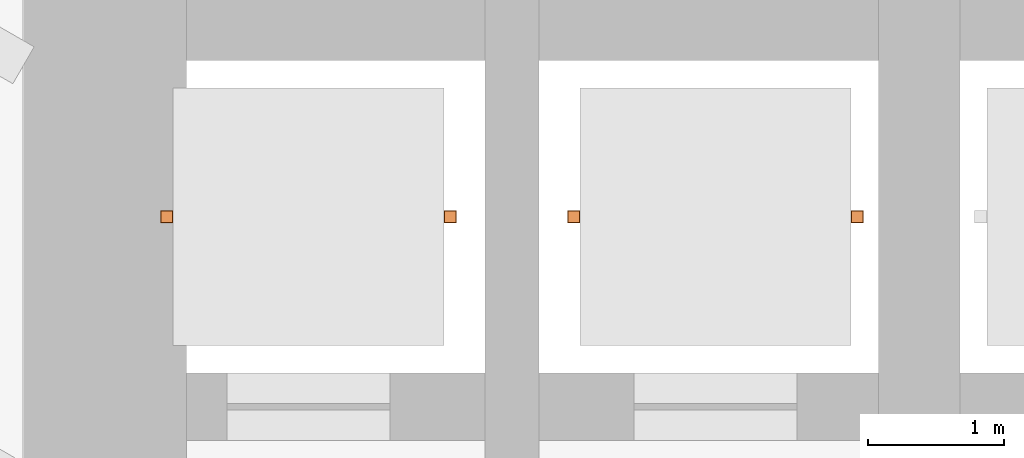
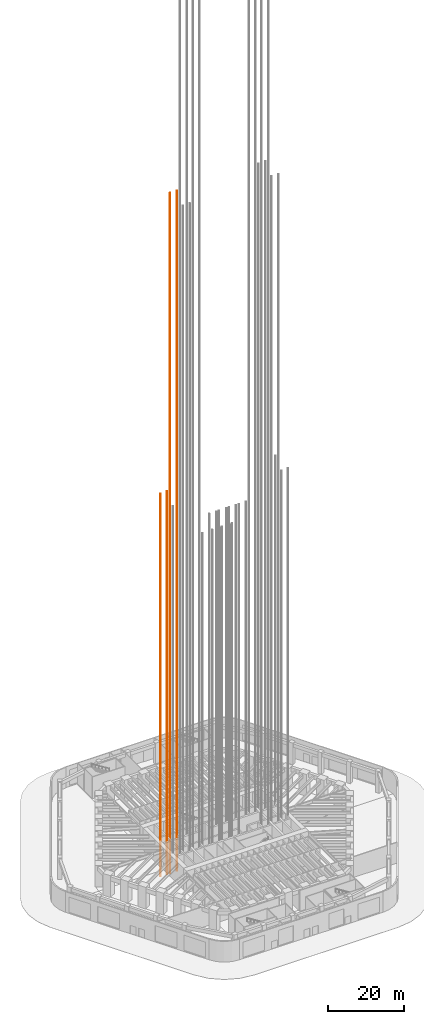
# One storey, part 19 of 23: 2 proxies.
"""IFC4 building model written with IfcOpenShell, lengths in metres."""

from ifc_helpers import new_model, si_unit, direction, frame, frame_2d, origin, origin_2d, place, context, subcontext, project, spatial, rectangle, extrude, material, element, save


model = new_model("IFC4")

# Units and contexts
model_context = context("Model", 3, precision=1e-05, world=origin(), true_north=direction((0.0, 1.0)))
body_context = subcontext(model_context, "Body", "Model", "MODEL_VIEW")
ifc_project = project(units=[si_unit("LENGTHUNIT", "METRE"), si_unit("AREAUNIT", "SQUARE_METRE"), si_unit("VOLUMEUNIT", "CUBIC_METRE"), si_unit("PLANEANGLEUNIT", "RADIAN"), si_unit("MASSUNIT", "GRAM", prefix="KILO")], contexts=[model_context])

# Site, building, storey
site_placement = place(None, origin())
site = spatial("IfcSite", under=ifc_project, at=site_placement, CompositionType="ELEMENT")
building_placement = place(site_placement, origin())
building = spatial("IfcBuilding", under=site, at=building_placement, Name="Tarfa Lantern Tower", CompositionType="ELEMENT")
storey_placement = place(building_placement, origin())
storey = spatial("IfcBuildingStorey", under=building, at=storey_placement, Name="L00", CompositionType="ELEMENT", Elevation=0.0)

# Proxies
ifc_material = material(Name="Steel S355", Category="steel")
proxy_1_placement = place(storey_placement, frame((-17.544921875, 3.39990234375, -4.5), z_axis=(0.0, 0.0, 1.0), x_axis=(1.0, 0.0, 0.0)))
element("IfcBuildingElementProxy", 1, at=proxy_1_placement, inside=storey, material=ifc_material, Name="Guide rails S1", PredefinedType="NOTDEFINED", context=body_context, shape_type="SweptSolid", body=[
    extrude(rectangle(XDim=0.090087890625, YDim=0.090087890625, at=origin_2d()), origin(), (0.0, 0.0, 1.0), 123.449951171875),
    extrude(rectangle(XDim=0.090087890625, YDim=0.090087890625, at=frame_2d((2.08984375, 0.0))), origin(), (0.0, 0.0, 1.0), 123.449951171875),
])
proxy_2_placement = place(storey_placement, frame((-14.544921875, 3.39990234375, -4.5), z_axis=(0.0, 0.0, 1.0), x_axis=(1.0, 0.0, 0.0)))
element("IfcBuildingElementProxy", 2, at=proxy_2_placement, inside=storey, material=ifc_material, Name="Guide rails S5", PredefinedType="NOTDEFINED", context=body_context, shape_type="SweptSolid", body=[
    extrude(rectangle(XDim=0.090087890625, YDim=0.090087890625, at=origin_2d()), origin(), (0.0, 0.0, 1.0), 219.449951171875),
    extrude(rectangle(XDim=0.090087890625, YDim=0.090087890625, at=frame_2d((2.08984375, 0.0))), origin(), (0.0, 0.0, 1.0), 219.449951171875),
])

save(model, "model.ifc")
